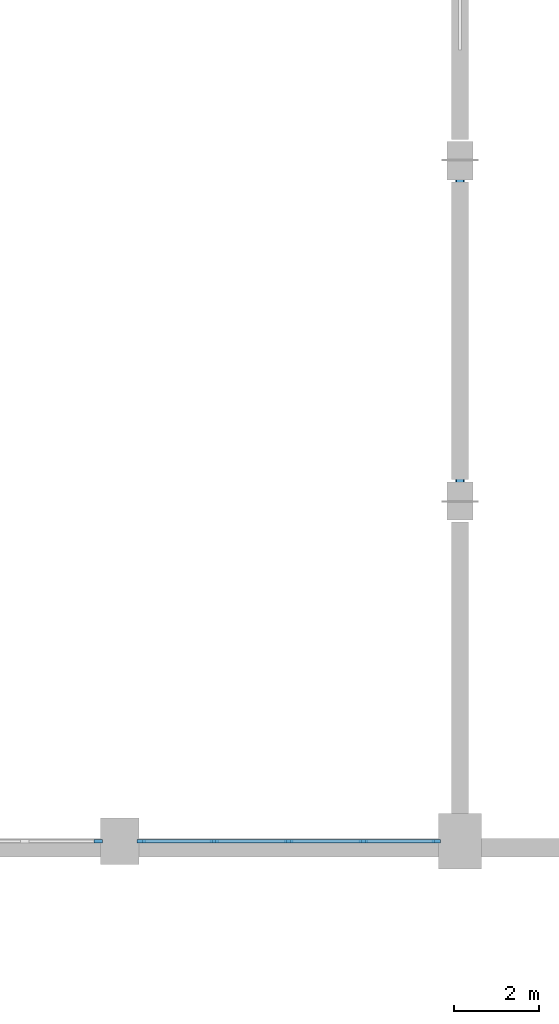
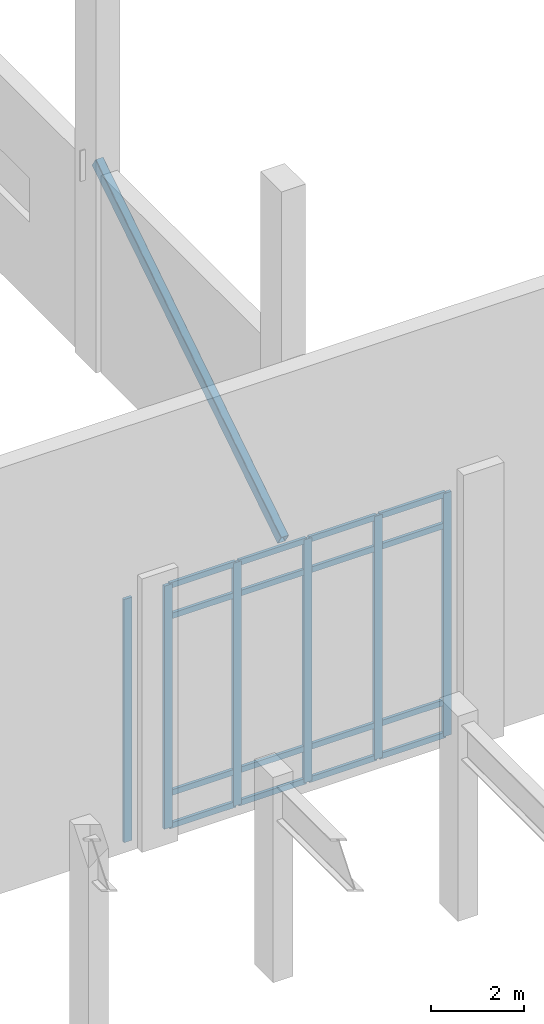
# One storey, part 44 of 84: 23 members, 2 elements without a shape of their own.
"""IFC4 building model written with IfcOpenShell, lengths in metres."""

from ifc_helpers import new_model, si_unit, direction, frame, origin, origin_2d, place, context, subcontext, project, spatial, rectangle, hollow_rectangle, extrude, material, layer, layer_set, material_profile, profile_set, type_object, element, aggregate, save


model = new_model("IFC4")

# Units and contexts
model_context = context("Model", 3, precision=1e-05, world=origin(), true_north=direction((0.0, 1.0)))
body_context = subcontext(model_context, "Body", "Model", "MODEL_VIEW")
ifc_project = project(units=[si_unit("LENGTHUNIT", "METRE"), si_unit("AREAUNIT", "SQUARE_METRE"), si_unit("VOLUMEUNIT", "CUBIC_METRE"), si_unit("PLANEANGLEUNIT", "RADIAN"), si_unit("MASSUNIT", "GRAM", prefix="KILO")], contexts=[model_context])

# Site, building, storey
site_placement = place(None, origin())
site = spatial("IfcSite", under=ifc_project, at=site_placement, CompositionType="ELEMENT")
building_placement = place(site_placement, origin())
building = spatial("IfcBuilding", under=site, at=building_placement, Name="Tlacozan Convention Centre", CompositionType="ELEMENT")
storey_placement = place(building_placement, frame((0.0, 0.0, 6.0)))
storey = spatial("IfcBuildingStorey", under=building, at=storey_placement, Name="L01", CompositionType="ELEMENT", Elevation=6.0)

# Curtain wall, member
ifc_material_1 = material(Name="Dark Bronze Anodised Aluminium", Category="aluminium")
ifc_layer = layer(ifc_material_1, 0.199951171875)
ifc_layer_set = layer_set([ifc_layer], Name="Dark Bronze Anodised Aluminium")
curtain_wall_type = type_object("IfcCurtainWallType", Name="Exhibition Clerestory Curtain Wall CW10", PredefinedType="NOTDEFINED", material=ifc_layer_set)
curtain_wall_1_placement = place(storey_placement, origin())
curtain_wall_1 = element("IfcCurtainWall", 1, at=curtain_wall_1_placement, inside=storey, type_object=curtain_wall_type, Name="L01 CW-10 Run 28", PredefinedType="NOTDEFINED")
ifc_material_profile_1 = material_profile(ifc_material_1, rectangle(XDim=0.074951171875, YDim=0.199951171875, at=origin_2d()), Name="ALU 75x200")
ifc_profile_set_1 = profile_set([ifc_material_profile_1], Name="Dark Bronze Anodised Aluminium")
member_type_1 = type_object("IfcMemberType", Name="Curtain Wall Heavy Mullion 75x200", PredefinedType="MULLION", material=ifc_profile_set_1)
member_1_placement = place(storey_placement, frame((159.49755859375, 62.0, 0.0), z_axis=(0.0, 0.0, 1.0), x_axis=(0.0, 1.0, 0.0)))
member_1 = element("IfcMember", 2, at=member_1_placement, type_object=member_type_1, Name="CW-10 mullion 5", PredefinedType="MULLION", context=body_context, shape_type="SweptSolid", body=[
    extrude(rectangle(XDim=0.074951171875, YDim=0.199951171875, at=origin_2d()), origin(), (0.0, 0.0, 1.0), 6.39990234375),
])
aggregate(curtain_wall_1, [member_1])

# Curtain wall, members
curtain_wall_2_placement = place(storey_placement, origin())
curtain_wall_2 = element("IfcCurtainWall", 3, at=curtain_wall_2_placement, inside=storey, type_object=curtain_wall_type, Name="L01 CW-10 Run 29", PredefinedType="NOTDEFINED")
member_2_placement = place(storey_placement, frame((160.50244140625, 62.0, 0.0), z_axis=(0.0, 0.0, 1.0), x_axis=(0.0, 1.0, 0.0)))
member_2 = element("IfcMember", 4, at=member_2_placement, type_object=member_type_1, Name="CW-10 mullion 1", PredefinedType="MULLION", context=body_context, shape_type="SweptSolid", body=[
    extrude(rectangle(XDim=0.074951171875, YDim=0.199951171875, at=origin_2d()), origin(), (0.0, 0.0, 1.0), 6.39990234375),
])
member_3_placement = place(storey_placement, frame((162.219970703125, 62.0, 0.0), z_axis=(0.0, 0.0, 1.0), x_axis=(0.0, 1.0, 0.0)))
member_3 = element("IfcMember", 5, at=member_3_placement, type_object=member_type_1, Name="CW-10 mullion 2", PredefinedType="MULLION", context=body_context, shape_type="SweptSolid", body=[
    extrude(rectangle(XDim=0.074951171875, YDim=0.199951171875, at=origin_2d()), origin(), (0.0, 0.0, 1.0), 6.39990234375),
])
member_4_placement = place(storey_placement, frame((163.97509765625, 62.0, 0.0), z_axis=(0.0, 0.0, 1.0), x_axis=(0.0, 1.0, 0.0)))
member_4 = element("IfcMember", 6, at=member_4_placement, type_object=member_type_1, Name="CW-10 mullion 3", PredefinedType="MULLION", context=body_context, shape_type="SweptSolid", body=[
    extrude(rectangle(XDim=0.074951171875, YDim=0.199951171875, at=origin_2d()), origin(), (0.0, 0.0, 1.0), 6.39990234375),
])
member_5_placement = place(storey_placement, frame((165.72998046875, 62.0, 0.0), z_axis=(0.0, 0.0, 1.0), x_axis=(0.0, 1.0, 0.0)))
member_5 = element("IfcMember", 7, at=member_5_placement, type_object=member_type_1, Name="CW-10 mullion 4", PredefinedType="MULLION", context=body_context, shape_type="SweptSolid", body=[
    extrude(rectangle(XDim=0.074951171875, YDim=0.199951171875, at=origin_2d()), origin(), (0.0, 0.0, 1.0), 6.39990234375),
])
member_6_placement = place(storey_placement, frame((167.447509765625, 62.0, 0.0), z_axis=(0.0, 0.0, 1.0), x_axis=(0.0, 1.0, 0.0)))
member_6 = element("IfcMember", 8, at=member_6_placement, type_object=member_type_1, Name="CW-10 mullion 5", PredefinedType="MULLION", context=body_context, shape_type="SweptSolid", body=[
    extrude(rectangle(XDim=0.074951171875, YDim=0.199951171875, at=origin_2d()), origin(), (0.0, 0.0, 1.0), 6.39990234375),
])
ifc_material_profile_2 = material_profile(ifc_material_1, rectangle(XDim=0.074951171875, YDim=0.14990234375, at=origin_2d()), Name="ALU 75x150")
ifc_profile_set_2 = profile_set([ifc_material_profile_2], Name="Dark Bronze Anodised Aluminium")
member_type_2 = type_object("IfcMemberType", Name="Curtain Wall Heavy Transom 75x150", PredefinedType="USERDEFINED", material=ifc_profile_set_2)
member_7_placement = place(storey_placement, frame((160.5400390625, 62.0, 0.03759765625), z_axis=(1.0, 0.0, 0.0), x_axis=(0.0, 1.0, 0.0)))
member_7 = element("IfcMember", 9, at=member_7_placement, type_object=member_type_2, Name="CW-10 transom 1.1", ObjectType="TRANSOM", PredefinedType="USERDEFINED", context=body_context, shape_type="SweptSolid", body=[
    extrude(rectangle(XDim=0.074951171875, YDim=0.14990234375, at=origin_2d()), origin(), (0.0, 0.0, 1.0), 1.642578125),
])
member_8_placement = place(storey_placement, frame((160.5400390625, 62.0, 0.89990234375), z_axis=(1.0, 0.0, 0.0), x_axis=(0.0, 1.0, 0.0)))
member_8 = element("IfcMember", 10, at=member_8_placement, type_object=member_type_2, Name="CW-10 transom 1.2", ObjectType="TRANSOM", PredefinedType="USERDEFINED", context=body_context, shape_type="SweptSolid", body=[
    extrude(rectangle(XDim=0.074951171875, YDim=0.14990234375, at=origin_2d()), origin(), (0.0, 0.0, 1.0), 1.642578125),
])
member_9_placement = place(storey_placement, frame((160.5400390625, 62.0, 5.550048828125), z_axis=(1.0, 0.0, 0.0), x_axis=(0.0, 1.0, 0.0)))
member_9 = element("IfcMember", 11, at=member_9_placement, type_object=member_type_2, Name="CW-10 transom 1.3", ObjectType="TRANSOM", PredefinedType="USERDEFINED", context=body_context, shape_type="SweptSolid", body=[
    extrude(rectangle(XDim=0.074951171875, YDim=0.14990234375, at=origin_2d()), origin(), (0.0, 0.0, 1.0), 1.642578125),
])
member_10_placement = place(storey_placement, frame((160.5400390625, 62.0, 6.362548828125), z_axis=(1.0, 0.0, 0.0), x_axis=(0.0, 1.0, 0.0)))
member_10 = element("IfcMember", 12, at=member_10_placement, type_object=member_type_2, Name="CW-10 transom 1.4", ObjectType="TRANSOM", PredefinedType="USERDEFINED", context=body_context, shape_type="SweptSolid", body=[
    extrude(rectangle(XDim=0.074951171875, YDim=0.14990234375, at=origin_2d()), origin(), (0.0, 0.0, 1.0), 1.642578125),
])
member_11_placement = place(storey_placement, frame((162.257568359375, 62.0, 0.03759765625), z_axis=(1.0, 0.0, 0.0), x_axis=(0.0, 1.0, 0.0)))
member_11 = element("IfcMember", 13, at=member_11_placement, type_object=member_type_2, Name="CW-10 transom 2.1", ObjectType="TRANSOM", PredefinedType="USERDEFINED", context=body_context, shape_type="SweptSolid", body=[
    extrude(rectangle(XDim=0.074951171875, YDim=0.14990234375, at=origin_2d()), origin(), (0.0, 0.0, 1.0), 1.679931640625),
])
member_12_placement = place(storey_placement, frame((162.257568359375, 62.0, 0.89990234375), z_axis=(1.0, 0.0, 0.0), x_axis=(0.0, 1.0, 0.0)))
member_12 = element("IfcMember", 14, at=member_12_placement, type_object=member_type_2, Name="CW-10 transom 2.2", ObjectType="TRANSOM", PredefinedType="USERDEFINED", context=body_context, shape_type="SweptSolid", body=[
    extrude(rectangle(XDim=0.074951171875, YDim=0.14990234375, at=origin_2d()), origin(), (0.0, 0.0, 1.0), 1.679931640625),
])
member_13_placement = place(storey_placement, frame((162.257568359375, 62.0, 5.550048828125), z_axis=(1.0, 0.0, 0.0), x_axis=(0.0, 1.0, 0.0)))
member_13 = element("IfcMember", 15, at=member_13_placement, type_object=member_type_2, Name="CW-10 transom 2.3", ObjectType="TRANSOM", PredefinedType="USERDEFINED", context=body_context, shape_type="SweptSolid", body=[
    extrude(rectangle(XDim=0.074951171875, YDim=0.14990234375, at=origin_2d()), origin(), (0.0, 0.0, 1.0), 1.679931640625),
])
member_14_placement = place(storey_placement, frame((162.257568359375, 62.0, 6.362548828125), z_axis=(1.0, 0.0, 0.0), x_axis=(0.0, 1.0, 0.0)))
member_14 = element("IfcMember", 16, at=member_14_placement, type_object=member_type_2, Name="CW-10 transom 2.4", ObjectType="TRANSOM", PredefinedType="USERDEFINED", context=body_context, shape_type="SweptSolid", body=[
    extrude(rectangle(XDim=0.074951171875, YDim=0.14990234375, at=origin_2d()), origin(), (0.0, 0.0, 1.0), 1.679931640625),
])
member_15_placement = place(storey_placement, frame((164.012451171875, 62.0, 0.03759765625), z_axis=(1.0, 0.0, 0.0), x_axis=(0.0, 1.0, 0.0)))
member_15 = element("IfcMember", 17, at=member_15_placement, type_object=member_type_2, Name="CW-10 transom 3.1", ObjectType="TRANSOM", PredefinedType="USERDEFINED", context=body_context, shape_type="SweptSolid", body=[
    extrude(rectangle(XDim=0.074951171875, YDim=0.14990234375, at=origin_2d()), origin(), (0.0, 0.0, 1.0), 1.679931640625),
])
member_16_placement = place(storey_placement, frame((164.012451171875, 62.0, 0.89990234375), z_axis=(1.0, 0.0, 0.0), x_axis=(0.0, 1.0, 0.0)))
member_16 = element("IfcMember", 18, at=member_16_placement, type_object=member_type_2, Name="CW-10 transom 3.2", ObjectType="TRANSOM", PredefinedType="USERDEFINED", context=body_context, shape_type="SweptSolid", body=[
    extrude(rectangle(XDim=0.074951171875, YDim=0.14990234375, at=origin_2d()), origin(), (0.0, 0.0, 1.0), 1.679931640625),
])
member_17_placement = place(storey_placement, frame((164.012451171875, 62.0, 5.550048828125), z_axis=(1.0, 0.0, 0.0), x_axis=(0.0, 1.0, 0.0)))
member_17 = element("IfcMember", 19, at=member_17_placement, type_object=member_type_2, Name="CW-10 transom 3.3", ObjectType="TRANSOM", PredefinedType="USERDEFINED", context=body_context, shape_type="SweptSolid", body=[
    extrude(rectangle(XDim=0.074951171875, YDim=0.14990234375, at=origin_2d()), origin(), (0.0, 0.0, 1.0), 1.679931640625),
])
member_18_placement = place(storey_placement, frame((164.012451171875, 62.0, 6.362548828125), z_axis=(1.0, 0.0, 0.0), x_axis=(0.0, 1.0, 0.0)))
member_18 = element("IfcMember", 20, at=member_18_placement, type_object=member_type_2, Name="CW-10 transom 3.4", ObjectType="TRANSOM", PredefinedType="USERDEFINED", context=body_context, shape_type="SweptSolid", body=[
    extrude(rectangle(XDim=0.074951171875, YDim=0.14990234375, at=origin_2d()), origin(), (0.0, 0.0, 1.0), 1.679931640625),
])
member_19_placement = place(storey_placement, frame((165.767578125, 62.0, 0.03759765625), z_axis=(1.0, 0.0, 0.0), x_axis=(0.0, 1.0, 0.0)))
member_19 = element("IfcMember", 21, at=member_19_placement, type_object=member_type_2, Name="CW-10 transom 4.1", ObjectType="TRANSOM", PredefinedType="USERDEFINED", context=body_context, shape_type="SweptSolid", body=[
    extrude(rectangle(XDim=0.074951171875, YDim=0.14990234375, at=origin_2d()), origin(), (0.0, 0.0, 1.0), 1.642333984375),
])
member_20_placement = place(storey_placement, frame((165.767578125, 62.0, 0.89990234375), z_axis=(1.0, 0.0, 0.0), x_axis=(0.0, 1.0, 0.0)))
member_20 = element("IfcMember", 22, at=member_20_placement, type_object=member_type_2, Name="CW-10 transom 4.2", ObjectType="TRANSOM", PredefinedType="USERDEFINED", context=body_context, shape_type="SweptSolid", body=[
    extrude(rectangle(XDim=0.074951171875, YDim=0.14990234375, at=origin_2d()), origin(), (0.0, 0.0, 1.0), 1.642333984375),
])
member_21_placement = place(storey_placement, frame((165.767578125, 62.0, 5.550048828125), z_axis=(1.0, 0.0, 0.0), x_axis=(0.0, 1.0, 0.0)))
member_21 = element("IfcMember", 23, at=member_21_placement, type_object=member_type_2, Name="CW-10 transom 4.3", ObjectType="TRANSOM", PredefinedType="USERDEFINED", context=body_context, shape_type="SweptSolid", body=[
    extrude(rectangle(XDim=0.074951171875, YDim=0.14990234375, at=origin_2d()), origin(), (0.0, 0.0, 1.0), 1.642333984375),
])
member_22_placement = place(storey_placement, frame((165.767578125, 62.0, 6.362548828125), z_axis=(1.0, 0.0, 0.0), x_axis=(0.0, 1.0, 0.0)))
member_22 = element("IfcMember", 24, at=member_22_placement, type_object=member_type_2, Name="CW-10 transom 4.4", ObjectType="TRANSOM", PredefinedType="USERDEFINED", context=body_context, shape_type="SweptSolid", body=[
    extrude(rectangle(XDim=0.074951171875, YDim=0.14990234375, at=origin_2d()), origin(), (0.0, 0.0, 1.0), 1.642333984375),
])
aggregate(curtain_wall_2, [member_2, member_3, member_4, member_5, member_6, member_7, member_8, member_9, member_10, member_11, member_12, member_13, member_14, member_15, member_16, member_17, member_18, member_19, member_20, member_21, member_22])

# Member
ifc_material_2 = material(Name="Steel ASTM A500 Grade C", Category="steel")
ifc_material_profile_3 = material_profile(ifc_material_2, hollow_rectangle(XDim=0.203125, YDim=0.3046875, WallThickness=0.0126953125, InnerFilletRadius=0.0126953125, OuterFilletRadius=0.02490234375, at=origin_2d()), Name="OR 305x203x12.7")
ifc_profile_set_3 = profile_set([ifc_material_profile_3], Name="Steel ASTM A500 Grade C")
member_type_3 = type_object("IfcMemberType", Name="Lateral Frame Brace OR 305x203x12.7", PredefinedType="BRACE", material=ifc_profile_set_3)
member_23_placement = place(storey_placement, frame((168.0, 70.0, 0.10009765625), z_axis=(0.0, 0.843234196711, 0.537546360324), x_axis=(-1.0, 0.0, 0.0)))
element("IfcMember", 25, at=member_23_placement, inside=storey, type_object=member_type_3, Name="L01 Vertical Portal Brace 6", PredefinedType="BRACE", context=body_context, shape_type="SweptSolid", body=[
    extrude(hollow_rectangle(XDim=0.203125, YDim=0.3046875, WallThickness=0.0126953125, InnerFilletRadius=0.0126953125, OuterFilletRadius=0.02490234375, at=origin_2d()), origin(), (0.0, 0.0, 1.0), 9.4873046875),
])

save(model, "model.ifc")
